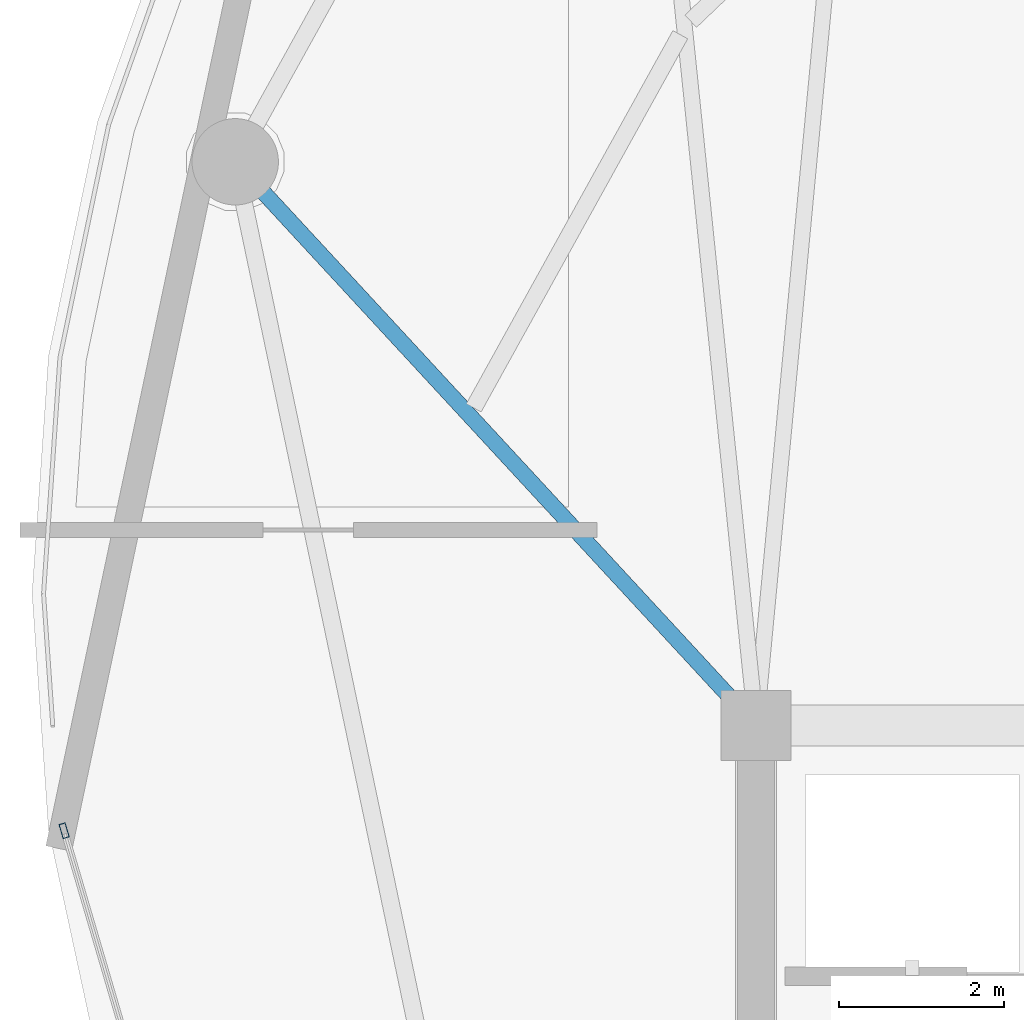
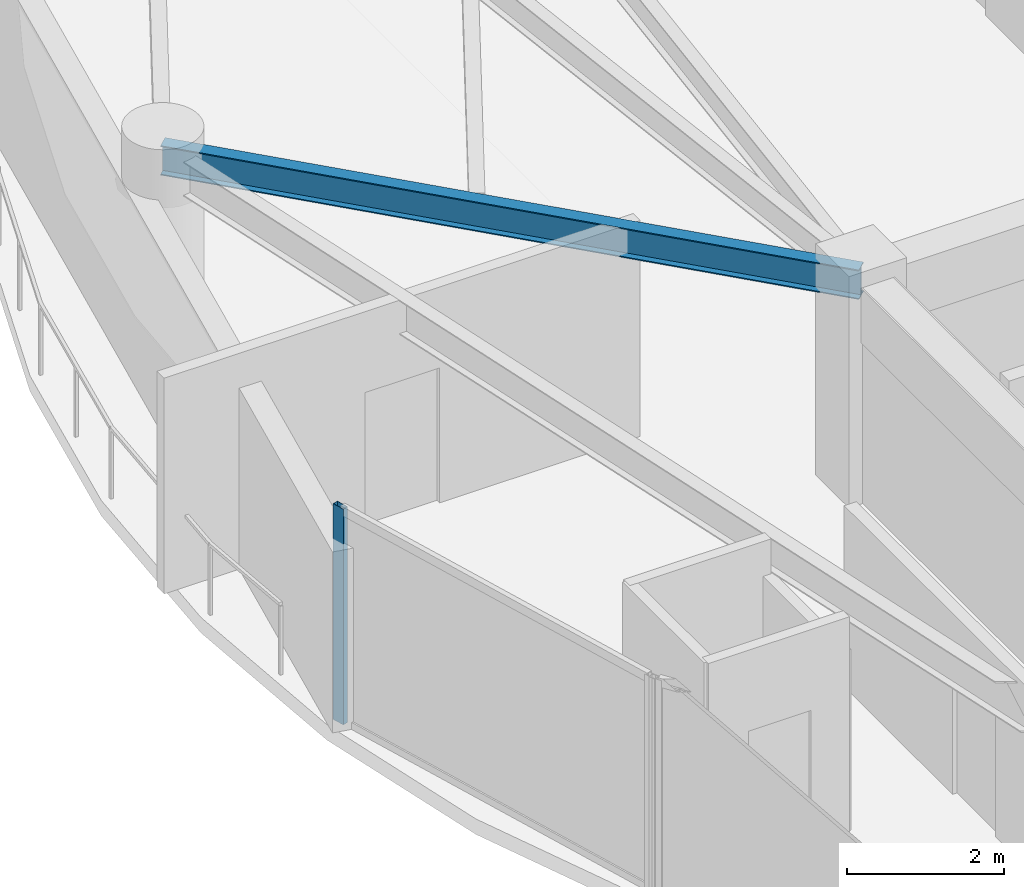
# One storey, part 7 of 28: 1 beam, 1 member, 1 element without a shape of its own.
"""IFC4 building model written with IfcOpenShell, lengths in metres."""

from ifc_helpers import new_model, si_unit, direction, frame, origin, origin_2d, place, context, subcontext, project, spatial, hollow_rectangle, i_section, extrude, material, layer, layer_set, material_profile, profile_set, type_object, element, aggregate, save


model = new_model("IFC4")

# Units and contexts
model_context = context("Model", 3, precision=1e-05, world=origin(), true_north=direction((0.0, 1.0)))
body_context = subcontext(model_context, "Body", "Model", "MODEL_VIEW")
ifc_project = project(units=[si_unit("LENGTHUNIT", "METRE"), si_unit("AREAUNIT", "SQUARE_METRE"), si_unit("VOLUMEUNIT", "CUBIC_METRE"), si_unit("PLANEANGLEUNIT", "RADIAN"), si_unit("MASSUNIT", "GRAM", prefix="KILO")], contexts=[model_context])

# Site, building, storey
site_placement = place(None, origin())
site = spatial("IfcSite", under=ifc_project, at=site_placement, CompositionType="ELEMENT")
building_placement = place(site_placement, origin())
building = spatial("IfcBuilding", under=site, at=building_placement, Name="Kazevale Care Tower and Concert Hall", CompositionType="ELEMENT")
storey_placement = place(building_placement, frame((0.0, 0.0, 231.60009765625)))
storey = spatial("IfcBuildingStorey", under=building, at=storey_placement, Name="L61", CompositionType="ELEMENT", Elevation=231.60009765625)

# Curtain wall, member
ifc_material_1 = material(Name="Aluminium 6063-T6 and Low-E Glass", Category="aluminium")
ifc_layer = layer(ifc_material_1, 0.179931640625)
ifc_layer_set = layer_set([ifc_layer], Name="Aluminium 6063-T6 and Low-E Glass")
curtain_wall_type = type_object("IfcCurtainWallType", Name="Waist & Upper Residential Curtain Wall CW-4", PredefinedType="NOTDEFINED", material=ifc_layer_set)
curtain_wall_placement = place(storey_placement, origin())
curtain_wall = element("IfcCurtainWall", 1, at=curtain_wall_placement, inside=storey, type_object=curtain_wall_type, Name="cw:L61:f12", PredefinedType="NOTDEFINED")
ifc_material_2 = material(Name="Aluminium 6063-T6", Category="aluminium")
ifc_material_profile_1 = material_profile(ifc_material_2, hollow_rectangle(XDim=0.080078125, YDim=0.179931640625, WallThickness=0.0048828125, at=origin_2d()), Name="ALU80x180x5")
ifc_profile_set_1 = profile_set([ifc_material_profile_1], Name="Aluminium 6063-T6")
member_type = type_object("IfcMemberType", Name="CW-4 Mullion ALU80x180x5", PredefinedType="MULLION", material=ifc_profile_set_1)
member_placement = place(storey_placement, frame((13.59033203125, 35.11865234375, 0.0), z_axis=(0.0, 0.0, 1.0), x_axis=(-0.959385539982, -0.282098184457, 0.0)))
member = element("IfcMember", 2, at=member_placement, type_object=member_type, Name="CW-4 mullion 2", PredefinedType="MULLION", context=body_context, shape_type="SweptSolid", body=[
    extrude(hollow_rectangle(XDim=0.080078125, YDim=0.179931640625, WallThickness=0.0048828125, at=origin_2d()), origin(), (0.0, 0.0, 1.0), 3.35986328125),
])
aggregate(curtain_wall, [member])

# Beam
ifc_material_3 = material(Name="Steel ASTM A572 Gr 50", Category="steel")
ifc_material_profile_2 = material_profile(ifc_material_3, i_section(OverallWidth=0.19091796875, OverallDepth=0.4599609375, WebThickness=0.010009765625, FlangeThickness=0.01611328125, at=origin_2d()), Name="W460x82")
ifc_profile_set_2 = profile_set([ifc_material_profile_2], Name="Steel ASTM A572 Gr 50")
beam_type = type_object("IfcBeamType", Name="Radial Floor Beam W460x82", PredefinedType="BEAM", material=ifc_profile_set_2)
beam_placement = place(storey_placement, frame((22.0, 36.39990234375, 3.1298828125), z_axis=(-0.678680078581, 0.734434034435, 0.0), x_axis=(-0.734434034435, -0.678680078581, 0.0)))
element("IfcBeam", 3, at=beam_placement, inside=storey, type_object=beam_type, Name="beam:L61:rad:09", PredefinedType="BEAM", context=body_context, shape_type="SweptSolid", body=[
    extrude(i_section(OverallWidth=0.19091796875, OverallDepth=0.4599609375, WebThickness=0.010009765625, FlangeThickness=0.01611328125, at=origin_2d()), origin(), (0.0, 0.0, 1.0), 9.3271484375),
])

save(model, "model.ifc")
